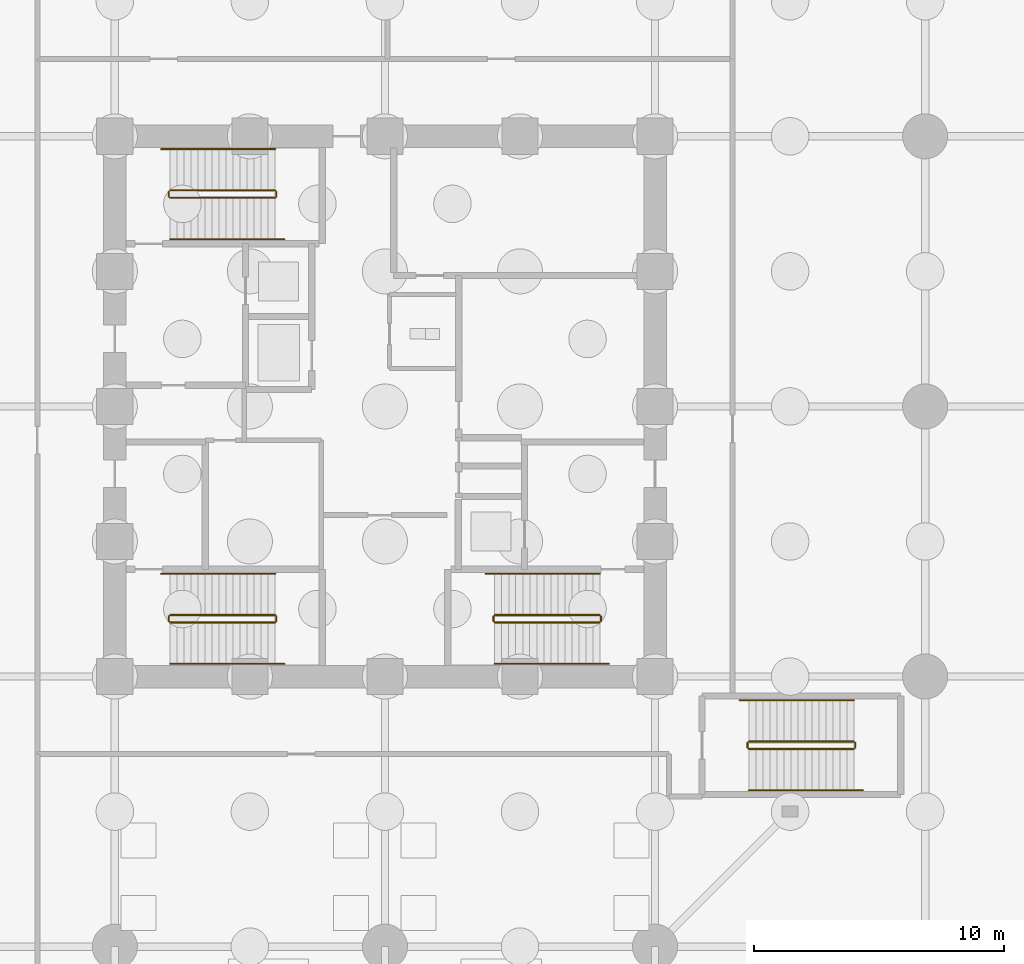
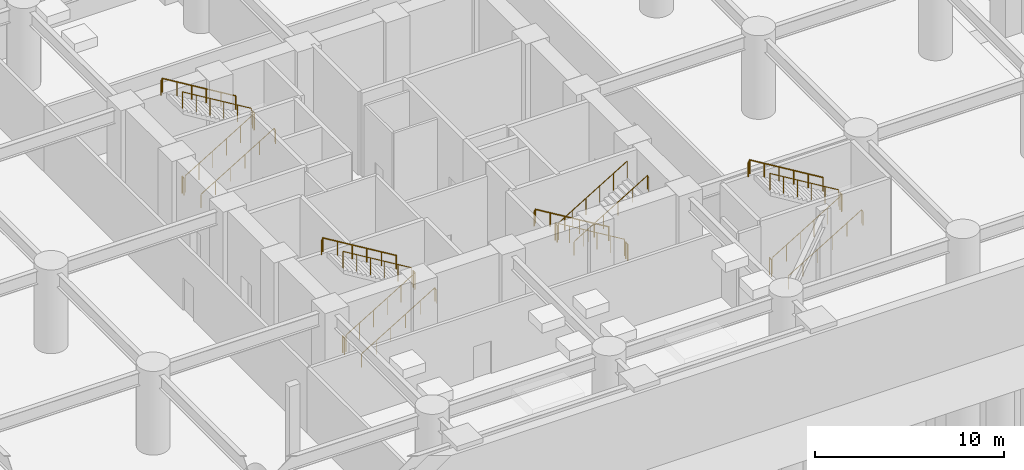
# One storey, part 7 of 9: 24 railings.
"""IFC4 building model written with IfcOpenShell, lengths in metres."""

from ifc_helpers import new_model, si_unit, direction, frame, origin, origin_2d, place, context, subcontext, project, spatial, circle, extrude, material, type_object, element, save


model = new_model("IFC4")

# Units and contexts
model_context = context("Model", 3, precision=1e-05, world=origin(), true_north=direction((0.0, 1.0)))
body_context = subcontext(model_context, "Body", "Model", "MODEL_VIEW")
ifc_project = project(units=[si_unit("LENGTHUNIT", "METRE"), si_unit("AREAUNIT", "SQUARE_METRE"), si_unit("VOLUMEUNIT", "CUBIC_METRE"), si_unit("PLANEANGLEUNIT", "RADIAN"), si_unit("MASSUNIT", "GRAM", prefix="KILO")], contexts=[model_context])

# Site, building, storey
site_placement = place(None, origin())
site = spatial("IfcSite", under=ifc_project, at=site_placement, CompositionType="ELEMENT")
building_placement = place(site_placement, origin())
building = spatial("IfcBuilding", under=site, at=building_placement, Name="Surkhivell Harbour Commons", CompositionType="ELEMENT")
storey_placement = place(building_placement, frame((0.0, 0.0, -5.39990234375)))
storey = spatial("IfcBuildingStorey", under=building, at=storey_placement, Name="B1", CompositionType="ELEMENT", Elevation=-5.39990234375)

# Railings
ifc_material_1 = material(Name="Galvanised and painted steel S355 guard rail", Category="steel")
railing_type_1 = type_object("IfcRailingType", Name="RAL-ST-GRD1100", PredefinedType="GUARDRAIL", material=ifc_material_1)
railing_1_placement = place(storey_placement, frame((-8.590087890625, 8.340087890625, 0.168701171875)))
element("IfcRailing", 1, at=railing_1_placement, inside=storey, type_object=railing_type_1, Name="B1 ST1 stair guard 1", PredefinedType="GUARDRAIL", context=body_context, shape_type="SweptSolid", body=[
    extrude(circle(Radius=0.02392578125, at=origin_2d()), frame((0.0, 0.0, 1.076171875), z_axis=(0.856489757249, 0.0, 0.516164020179), x_axis=(0.0, 1.0, 0.0)), (0.0, 0.0, 1.0), 4.904052734375),
    extrude(circle(Radius=0.02099609375, at=origin_2d()), origin(), (0.0, 0.0, 1.0), 1.052001953125),
    extrude(circle(Radius=0.02099609375, at=origin_2d()), frame((0.840087890625, 0.0, 0.50634765625)), (0.0, 0.0, 1.0), 1.052001953125),
    extrude(circle(Radius=0.02099609375, at=origin_2d()), frame((1.68017578125, 0.0, 1.012451171875)), (0.0, 0.0, 1.0), 1.052001953125),
    extrude(circle(Radius=0.02099609375, at=origin_2d()), frame((2.52001953125, 0.0, 1.518798828125)), (0.0, 0.0, 1.0), 1.052001953125),
    extrude(circle(Radius=0.02099609375, at=origin_2d()), frame((3.360107421875, 0.0, 2.02490234375)), (0.0, 0.0, 1.0), 1.052001953125),
    extrude(circle(Radius=0.02099609375, at=origin_2d()), frame((4.2001953125, 0.0, 2.53125)), (0.0, 0.0, 1.0), 1.052001953125),
])
railing_2_placement = place(storey_placement, frame((-4.340087890625, 8.389892578125, 2.699951171875)))
element("IfcRailing", 2, at=railing_2_placement, inside=storey, type_object=railing_type_1, Name="B1 ST1 stair guard 2", PredefinedType="GUARDRAIL", context=body_context, shape_type="SweptSolid", body=[
    extrude(circle(Radius=0.02392578125, at=origin_2d()), frame((0.0, 0.0, 1.076171875), z_axis=(0.0, 1.0, 0.0), x_axis=(-1.0, 0.0, 0.0)), (0.0, 0.0, 1.0), 0.2001953125),
    extrude(circle(Radius=0.02099609375, at=origin_2d()), origin(), (0.0, 0.0, 1.0), 1.052001953125),
    extrude(circle(Radius=0.02099609375, at=origin_2d()), frame((0.0, 0.2001953125, 0.0)), (0.0, 0.0, 1.0), 1.052001953125),
])
railing_3_placement = place(storey_placement, frame((-4.389892578125, 8.639892578125, 2.86865234375)))
element("IfcRailing", 3, at=railing_3_placement, inside=storey, type_object=railing_type_1, Name="B1 ST1 stair guard 3", PredefinedType="GUARDRAIL", context=body_context, shape_type="SweptSolid", body=[
    extrude(circle(Radius=0.02392578125, at=origin_2d()), frame((0.0, 0.0, 1.076171875), z_axis=(-0.856489757249, 0.0, 0.516164020179), x_axis=(0.0, -1.0, 0.0)), (0.0, 0.0, 1.0), 4.904052734375),
    extrude(circle(Radius=0.02099609375, at=origin_2d()), origin(), (0.0, 0.0, 1.0), 1.052001953125),
    extrude(circle(Radius=0.02099609375, at=origin_2d()), frame((-0.840087890625, 0.0, 0.50634765625)), (0.0, 0.0, 1.0), 1.052001953125),
    extrude(circle(Radius=0.02099609375, at=origin_2d()), frame((-1.68017578125, 0.0, 1.012451171875)), (0.0, 0.0, 1.0), 1.052001953125),
    extrude(circle(Radius=0.02099609375, at=origin_2d()), frame((-2.52001953125, 0.0, 1.518798828125)), (0.0, 0.0, 1.0), 1.052001953125),
    extrude(circle(Radius=0.02099609375, at=origin_2d()), frame((-3.360107421875, 0.0, 2.02490234375)), (0.0, 0.0, 1.0), 1.052001953125),
    extrude(circle(Radius=0.02099609375, at=origin_2d()), frame((-4.2001953125, 0.0, 2.53125)), (0.0, 0.0, 1.0), 1.052001953125),
])
railing_4_placement = place(storey_placement, frame((-8.639892578125, 8.389892578125, 0.0)))
element("IfcRailing", 4, at=railing_4_placement, inside=storey, type_object=railing_type_1, Name="B1 ST1 stair guard 4", PredefinedType="GUARDRAIL", context=body_context, shape_type="SweptSolid", body=[
    extrude(circle(Radius=0.02392578125, at=origin_2d()), frame((0.0, 0.0, 1.076171875), z_axis=(0.0, 1.0, 0.0), x_axis=(-1.0, 0.0, 0.0)), (0.0, 0.0, 1.0), 0.2001953125),
    extrude(circle(Radius=0.02099609375, at=origin_2d()), origin(), (0.0, 0.0, 1.0), 1.052001953125),
    extrude(circle(Radius=0.02099609375, at=origin_2d()), frame((0.0, 0.2001953125, 0.0)), (0.0, 0.0, 1.0), 1.052001953125),
])
railing_5_placement = place(storey_placement, frame((8.590087890625, -8.340087890625, 0.168701171875)))
element("IfcRailing", 5, at=railing_5_placement, inside=storey, type_object=railing_type_1, Name="B1 ST2 stair guard 1", PredefinedType="GUARDRAIL", context=body_context, shape_type="SweptSolid", body=[
    extrude(circle(Radius=0.02392578125, at=origin_2d()), frame((0.0, 0.0, 1.076171875), z_axis=(-0.856489757249, 0.0, 0.516164020179), x_axis=(0.0, -1.0, 0.0)), (0.0, 0.0, 1.0), 4.904052734375),
    extrude(circle(Radius=0.02099609375, at=origin_2d()), origin(), (0.0, 0.0, 1.0), 1.052001953125),
    extrude(circle(Radius=0.02099609375, at=origin_2d()), frame((-0.840087890625, 0.0, 0.50634765625)), (0.0, 0.0, 1.0), 1.052001953125),
    extrude(circle(Radius=0.02099609375, at=origin_2d()), frame((-1.68017578125, 0.0, 1.012451171875)), (0.0, 0.0, 1.0), 1.052001953125),
    extrude(circle(Radius=0.02099609375, at=origin_2d()), frame((-2.52001953125, 0.0, 1.518798828125)), (0.0, 0.0, 1.0), 1.052001953125),
    extrude(circle(Radius=0.02099609375, at=origin_2d()), frame((-3.360107421875, 0.0, 2.02490234375)), (0.0, 0.0, 1.0), 1.052001953125),
    extrude(circle(Radius=0.02099609375, at=origin_2d()), frame((-4.2001953125, 0.0, 2.53125)), (0.0, 0.0, 1.0), 1.052001953125),
])
railing_6_placement = place(storey_placement, frame((4.340087890625, -8.389892578125, 2.699951171875)))
element("IfcRailing", 6, at=railing_6_placement, inside=storey, type_object=railing_type_1, Name="B1 ST2 stair guard 2", PredefinedType="GUARDRAIL", context=body_context, shape_type="SweptSolid", body=[
    extrude(circle(Radius=0.02392578125, at=origin_2d()), frame((0.0, 0.0, 1.076171875), z_axis=(0.0, -1.0, 0.0), x_axis=(1.0, 0.0, 0.0)), (0.0, 0.0, 1.0), 0.2001953125),
    extrude(circle(Radius=0.02099609375, at=origin_2d()), origin(), (0.0, 0.0, 1.0), 1.052001953125),
    extrude(circle(Radius=0.02099609375, at=origin_2d()), frame((0.0, -0.2001953125, 0.0)), (0.0, 0.0, 1.0), 1.052001953125),
])
railing_7_placement = place(storey_placement, frame((4.389892578125, -8.639892578125, 2.86865234375)))
element("IfcRailing", 7, at=railing_7_placement, inside=storey, type_object=railing_type_1, Name="B1 ST2 stair guard 3", PredefinedType="GUARDRAIL", context=body_context, shape_type="SweptSolid", body=[
    extrude(circle(Radius=0.02392578125, at=origin_2d()), frame((0.0, 0.0, 1.076171875), z_axis=(0.856489757249, 0.0, 0.516164020179), x_axis=(0.0, 1.0, 0.0)), (0.0, 0.0, 1.0), 4.904052734375),
    extrude(circle(Radius=0.02099609375, at=origin_2d()), origin(), (0.0, 0.0, 1.0), 1.052001953125),
    extrude(circle(Radius=0.02099609375, at=origin_2d()), frame((0.840087890625, 0.0, 0.50634765625)), (0.0, 0.0, 1.0), 1.052001953125),
    extrude(circle(Radius=0.02099609375, at=origin_2d()), frame((1.68017578125, 0.0, 1.012451171875)), (0.0, 0.0, 1.0), 1.052001953125),
    extrude(circle(Radius=0.02099609375, at=origin_2d()), frame((2.52001953125, 0.0, 1.518798828125)), (0.0, 0.0, 1.0), 1.052001953125),
    extrude(circle(Radius=0.02099609375, at=origin_2d()), frame((3.360107421875, 0.0, 2.02490234375)), (0.0, 0.0, 1.0), 1.052001953125),
    extrude(circle(Radius=0.02099609375, at=origin_2d()), frame((4.2001953125, 0.0, 2.53125)), (0.0, 0.0, 1.0), 1.052001953125),
])
railing_8_placement = place(storey_placement, frame((8.639892578125, -8.389892578125, 0.0)))
element("IfcRailing", 8, at=railing_8_placement, inside=storey, type_object=railing_type_1, Name="B1 ST2 stair guard 4", PredefinedType="GUARDRAIL", context=body_context, shape_type="SweptSolid", body=[
    extrude(circle(Radius=0.02392578125, at=origin_2d()), frame((0.0, 0.0, 1.076171875), z_axis=(0.0, -1.0, 0.0), x_axis=(1.0, 0.0, 0.0)), (0.0, 0.0, 1.0), 0.2001953125),
    extrude(circle(Radius=0.02099609375, at=origin_2d()), origin(), (0.0, 0.0, 1.0), 1.052001953125),
    extrude(circle(Radius=0.02099609375, at=origin_2d()), frame((0.0, -0.2001953125, 0.0)), (0.0, 0.0, 1.0), 1.052001953125),
])
railing_9_placement = place(storey_placement, frame((-8.590087890625, -8.639892578125, 0.168701171875)))
element("IfcRailing", 9, at=railing_9_placement, inside=storey, type_object=railing_type_1, Name="B1 ST3 stair guard 1", PredefinedType="GUARDRAIL", context=body_context, shape_type="SweptSolid", body=[
    extrude(circle(Radius=0.02392578125, at=origin_2d()), frame((0.0, 0.0, 1.076171875), z_axis=(0.856489757249, 0.0, 0.516164020179), x_axis=(0.0, 1.0, 0.0)), (0.0, 0.0, 1.0), 4.904052734375),
    extrude(circle(Radius=0.02099609375, at=origin_2d()), origin(), (0.0, 0.0, 1.0), 1.052001953125),
    extrude(circle(Radius=0.02099609375, at=origin_2d()), frame((0.840087890625, 0.0, 0.50634765625)), (0.0, 0.0, 1.0), 1.052001953125),
    extrude(circle(Radius=0.02099609375, at=origin_2d()), frame((1.68017578125, 0.0, 1.012451171875)), (0.0, 0.0, 1.0), 1.052001953125),
    extrude(circle(Radius=0.02099609375, at=origin_2d()), frame((2.52001953125, 0.0, 1.518798828125)), (0.0, 0.0, 1.0), 1.052001953125),
    extrude(circle(Radius=0.02099609375, at=origin_2d()), frame((3.360107421875, 0.0, 2.02490234375)), (0.0, 0.0, 1.0), 1.052001953125),
    extrude(circle(Radius=0.02099609375, at=origin_2d()), frame((4.2001953125, 0.0, 2.53125)), (0.0, 0.0, 1.0), 1.052001953125),
])
railing_10_placement = place(storey_placement, frame((-4.340087890625, -8.590087890625, 2.699951171875)))
element("IfcRailing", 10, at=railing_10_placement, inside=storey, type_object=railing_type_1, Name="B1 ST3 stair guard 2", PredefinedType="GUARDRAIL", context=body_context, shape_type="SweptSolid", body=[
    extrude(circle(Radius=0.02392578125, at=origin_2d()), frame((0.0, 0.0, 1.076171875), z_axis=(0.0, 1.0, 0.0), x_axis=(-1.0, 0.0, 0.0)), (0.0, 0.0, 1.0), 0.2001953125),
    extrude(circle(Radius=0.02099609375, at=origin_2d()), origin(), (0.0, 0.0, 1.0), 1.052001953125),
    extrude(circle(Radius=0.02099609375, at=origin_2d()), frame((0.0, 0.2001953125, 0.0)), (0.0, 0.0, 1.0), 1.052001953125),
])
railing_11_placement = place(storey_placement, frame((-4.389892578125, -8.340087890625, 2.86865234375)))
element("IfcRailing", 11, at=railing_11_placement, inside=storey, type_object=railing_type_1, Name="B1 ST3 stair guard 3", PredefinedType="GUARDRAIL", context=body_context, shape_type="SweptSolid", body=[
    extrude(circle(Radius=0.02392578125, at=origin_2d()), frame((0.0, 0.0, 1.076171875), z_axis=(-0.856489757249, 0.0, 0.516164020179), x_axis=(0.0, -1.0, 0.0)), (0.0, 0.0, 1.0), 4.904052734375),
    extrude(circle(Radius=0.02099609375, at=origin_2d()), origin(), (0.0, 0.0, 1.0), 1.052001953125),
    extrude(circle(Radius=0.02099609375, at=origin_2d()), frame((-0.840087890625, 0.0, 0.50634765625)), (0.0, 0.0, 1.0), 1.052001953125),
    extrude(circle(Radius=0.02099609375, at=origin_2d()), frame((-1.68017578125, 0.0, 1.012451171875)), (0.0, 0.0, 1.0), 1.052001953125),
    extrude(circle(Radius=0.02099609375, at=origin_2d()), frame((-2.52001953125, 0.0, 1.518798828125)), (0.0, 0.0, 1.0), 1.052001953125),
    extrude(circle(Radius=0.02099609375, at=origin_2d()), frame((-3.360107421875, 0.0, 2.02490234375)), (0.0, 0.0, 1.0), 1.052001953125),
    extrude(circle(Radius=0.02099609375, at=origin_2d()), frame((-4.2001953125, 0.0, 2.53125)), (0.0, 0.0, 1.0), 1.052001953125),
])
railing_12_placement = place(storey_placement, frame((-8.639892578125, -8.590087890625, 0.0)))
element("IfcRailing", 12, at=railing_12_placement, inside=storey, type_object=railing_type_1, Name="B1 ST3 stair guard 4", PredefinedType="GUARDRAIL", context=body_context, shape_type="SweptSolid", body=[
    extrude(circle(Radius=0.02392578125, at=origin_2d()), frame((0.0, 0.0, 1.076171875), z_axis=(0.0, 1.0, 0.0), x_axis=(-1.0, 0.0, 0.0)), (0.0, 0.0, 1.0), 0.2001953125),
    extrude(circle(Radius=0.02099609375, at=origin_2d()), origin(), (0.0, 0.0, 1.0), 1.052001953125),
    extrude(circle(Radius=0.02099609375, at=origin_2d()), frame((0.0, 0.2001953125, 0.0)), (0.0, 0.0, 1.0), 1.052001953125),
])
railing_13_placement = place(storey_placement, frame((14.550048828125, -13.699951171875, 0.168701171875)))
element("IfcRailing", 13, at=railing_13_placement, inside=storey, type_object=railing_type_1, Name="B1 ST4 stair guard 1", PredefinedType="GUARDRAIL", context=body_context, shape_type="SweptSolid", body=[
    extrude(circle(Radius=0.02392578125, at=origin_2d()), frame((0.0, 0.0, 1.076171875), z_axis=(0.856476492594, 0.0, 0.516186030065), x_axis=(0.0, 1.0, 0.0)), (0.0, 0.0, 1.0), 4.90380859375),
    extrude(circle(Radius=0.02099609375, at=origin_2d()), origin(), (0.0, 0.0, 1.0), 1.052001953125),
    extrude(circle(Radius=0.02099609375, at=origin_2d()), frame((0.840087890625, 0.0, 0.50634765625)), (0.0, 0.0, 1.0), 1.052001953125),
    extrude(circle(Radius=0.02099609375, at=origin_2d()), frame((1.679931640625, 0.0, 1.012451171875)), (0.0, 0.0, 1.0), 1.052001953125),
    extrude(circle(Radius=0.02099609375, at=origin_2d()), frame((2.52001953125, 0.0, 1.518798828125)), (0.0, 0.0, 1.0), 1.052001953125),
    extrude(circle(Radius=0.02099609375, at=origin_2d()), frame((3.35986328125, 0.0, 2.02490234375)), (0.0, 0.0, 1.0), 1.052001953125),
    extrude(circle(Radius=0.02099609375, at=origin_2d()), frame((4.199951171875, 0.0, 2.53125)), (0.0, 0.0, 1.0), 1.052001953125),
])
railing_14_placement = place(storey_placement, frame((18.800048828125, -13.64990234375, 2.699951171875)))
element("IfcRailing", 14, at=railing_14_placement, inside=storey, type_object=railing_type_1, Name="B1 ST4 stair guard 2", PredefinedType="GUARDRAIL", context=body_context, shape_type="SweptSolid", body=[
    extrude(circle(Radius=0.02392578125, at=origin_2d()), frame((0.0, 0.0, 1.076171875), z_axis=(0.0, 1.0, 0.0), x_axis=(-1.0, 0.0, 0.0)), (0.0, 0.0, 1.0), 0.199951171875),
    extrude(circle(Radius=0.02099609375, at=origin_2d()), origin(), (0.0, 0.0, 1.0), 1.052001953125),
    extrude(circle(Radius=0.02099609375, at=origin_2d()), frame((0.0, 0.199951171875, 0.0)), (0.0, 0.0, 1.0), 1.052001953125),
])
railing_15_placement = place(storey_placement, frame((18.75, -13.39990234375, 2.86865234375)))
element("IfcRailing", 15, at=railing_15_placement, inside=storey, type_object=railing_type_1, Name="B1 ST4 stair guard 3", PredefinedType="GUARDRAIL", context=body_context, shape_type="SweptSolid", body=[
    extrude(circle(Radius=0.02392578125, at=origin_2d()), frame((0.0, 0.0, 1.076171875), z_axis=(-0.856476492594, 0.0, 0.516186030065), x_axis=(0.0, -1.0, 0.0)), (0.0, 0.0, 1.0), 4.90380859375),
    extrude(circle(Radius=0.02099609375, at=origin_2d()), origin(), (0.0, 0.0, 1.0), 1.052001953125),
    extrude(circle(Radius=0.02099609375, at=origin_2d()), frame((-0.840087890625, 0.0, 0.50634765625)), (0.0, 0.0, 1.0), 1.052001953125),
    extrude(circle(Radius=0.02099609375, at=origin_2d()), frame((-1.679931640625, 0.0, 1.012451171875)), (0.0, 0.0, 1.0), 1.052001953125),
    extrude(circle(Radius=0.02099609375, at=origin_2d()), frame((-2.52001953125, 0.0, 1.518798828125)), (0.0, 0.0, 1.0), 1.052001953125),
    extrude(circle(Radius=0.02099609375, at=origin_2d()), frame((-3.35986328125, 0.0, 2.02490234375)), (0.0, 0.0, 1.0), 1.052001953125),
    extrude(circle(Radius=0.02099609375, at=origin_2d()), frame((-4.199951171875, 0.0, 2.53125)), (0.0, 0.0, 1.0), 1.052001953125),
])
railing_16_placement = place(storey_placement, frame((14.5, -13.64990234375, 0.0)))
element("IfcRailing", 16, at=railing_16_placement, inside=storey, type_object=railing_type_1, Name="B1 ST4 stair guard 4", PredefinedType="GUARDRAIL", context=body_context, shape_type="SweptSolid", body=[
    extrude(circle(Radius=0.02392578125, at=origin_2d()), frame((0.0, 0.0, 1.076171875), z_axis=(0.0, 1.0, 0.0), x_axis=(-1.0, 0.0, 0.0)), (0.0, 0.0, 1.0), 0.199951171875),
    extrude(circle(Radius=0.02099609375, at=origin_2d()), origin(), (0.0, 0.0, 1.0), 1.052001953125),
    extrude(circle(Radius=0.02099609375, at=origin_2d()), frame((0.0, 0.199951171875, 0.0)), (0.0, 0.0, 1.0), 1.052001953125),
])
ifc_material_2 = material(Name="Brushed stainless steel S355 handrail", Category="steel")
railing_type_2 = type_object("IfcRailingType", Name="RAL-ST-HND900", PredefinedType="HANDRAIL", material=ifc_material_2)
railing_17_placement = place(storey_placement, frame((-8.590087890625, 6.68994140625, 0.168701171875)))
element("IfcRailing", 17, at=railing_17_placement, inside=storey, type_object=railing_type_2, Name="B1 ST1 stair handrail 1", PredefinedType="HANDRAIL", context=body_context, shape_type="SweptSolid", body=[
    extrude(circle(Radius=0.02392578125, at=origin_2d()), frame((0.0, 0.0, 0.8759765625), z_axis=(0.856482277723, 0.0, 0.516176431026), x_axis=(0.0, 1.0, 0.0)), (0.0, 0.0, 1.0), 5.230712890625),
    extrude(circle(Radius=0.02392578125, at=origin_2d()), frame((4.47998046875, 0.0, 3.57568359375), z_axis=(0.428816793009, 0.0, -0.903391475515), x_axis=(0.0, 1.0, 0.0)), (0.0, 0.0, 1.0), 0.186767578125),
    extrude(circle(Radius=0.02099609375, at=origin_2d()), origin(), (0.0, 0.0, 1.0), 0.851806640625),
    extrude(circle(Radius=0.02099609375, at=origin_2d()), frame((0.89599609375, 0.0, 0.5400390625)), (0.0, 0.0, 1.0), 0.851806640625),
    extrude(circle(Radius=0.02099609375, at=origin_2d()), frame((1.7919921875, 0.0, 1.080078125)), (0.0, 0.0, 1.0), 0.851806640625),
    extrude(circle(Radius=0.02099609375, at=origin_2d()), frame((2.68798828125, 0.0, 1.619873046875)), (0.0, 0.0, 1.0), 0.851806640625),
    extrude(circle(Radius=0.02099609375, at=origin_2d()), frame((3.583984375, 0.0, 2.159912109375)), (0.0, 0.0, 1.0), 0.851806640625),
    extrude(circle(Radius=0.02099609375, at=origin_2d()), frame((4.47998046875, 0.0, 2.699951171875)), (0.0, 0.0, 1.0), 0.851806640625),
    extrude(circle(Radius=0.02099609375, at=origin_2d()), frame((4.56005859375, 0.0, 2.53125)), (0.0, 0.0, 1.0), 0.851806640625),
])
railing_18_placement = place(storey_placement, frame((-4.389892578125, 10.2900390625, 2.86865234375)))
element("IfcRailing", 18, at=railing_18_placement, inside=storey, type_object=railing_type_2, Name="B1 ST1 stair handrail 2", PredefinedType="HANDRAIL", context=body_context, shape_type="SweptSolid", body=[
    extrude(circle(Radius=0.02392578125, at=origin_2d()), frame((0.0, 0.0, 0.8759765625), z_axis=(-0.856494712918, 0.0, 0.516155796968), x_axis=(0.0, -1.0, 0.0)), (0.0, 0.0, 1.0), 5.23095703125),
    extrude(circle(Radius=0.02392578125, at=origin_2d()), frame((-4.480224609375, 0.0, 3.57568359375), z_axis=(-0.427748931468, 0.0, -0.903897589126), x_axis=(0.0, -1.0, 0.0)), (0.0, 0.0, 1.0), 0.1865234375),
    extrude(circle(Radius=0.02099609375, at=origin_2d()), origin(), (0.0, 0.0, 1.0), 0.851806640625),
    extrude(circle(Radius=0.02099609375, at=origin_2d()), frame((-0.89599609375, 0.0, 0.5400390625)), (0.0, 0.0, 1.0), 0.851806640625),
    extrude(circle(Radius=0.02099609375, at=origin_2d()), frame((-1.7919921875, 0.0, 1.080078125)), (0.0, 0.0, 1.0), 0.851806640625),
    extrude(circle(Radius=0.02099609375, at=origin_2d()), frame((-2.688232421875, 0.0, 1.619873046875)), (0.0, 0.0, 1.0), 0.851806640625),
    extrude(circle(Radius=0.02099609375, at=origin_2d()), frame((-3.584228515625, 0.0, 2.159912109375)), (0.0, 0.0, 1.0), 0.851806640625),
    extrude(circle(Radius=0.02099609375, at=origin_2d()), frame((-4.480224609375, 0.0, 2.699951171875)), (0.0, 0.0, 1.0), 0.851806640625),
    extrude(circle(Radius=0.02099609375, at=origin_2d()), frame((-4.56005859375, 0.0, 2.53125)), (0.0, 0.0, 1.0), 0.851806640625),
])
railing_19_placement = place(storey_placement, frame((8.590087890625, -6.68994140625, 0.168701171875)))
element("IfcRailing", 19, at=railing_19_placement, inside=storey, type_object=railing_type_2, Name="B1 ST2 stair handrail 1", PredefinedType="HANDRAIL", context=body_context, shape_type="SweptSolid", body=[
    extrude(circle(Radius=0.02392578125, at=origin_2d()), frame((0.0, 0.0, 0.8759765625), z_axis=(-0.856482277723, 0.0, 0.516176431026), x_axis=(0.0, -1.0, 0.0)), (0.0, 0.0, 1.0), 5.230712890625),
    extrude(circle(Radius=0.02392578125, at=origin_2d()), frame((-4.47998046875, 0.0, 3.57568359375), z_axis=(-0.428816793009, 0.0, -0.903391475515), x_axis=(0.0, -1.0, 0.0)), (0.0, 0.0, 1.0), 0.186767578125),
    extrude(circle(Radius=0.02099609375, at=origin_2d()), origin(), (0.0, 0.0, 1.0), 0.851806640625),
    extrude(circle(Radius=0.02099609375, at=origin_2d()), frame((-0.89599609375, 0.0, 0.5400390625)), (0.0, 0.0, 1.0), 0.851806640625),
    extrude(circle(Radius=0.02099609375, at=origin_2d()), frame((-1.7919921875, 0.0, 1.080078125)), (0.0, 0.0, 1.0), 0.851806640625),
    extrude(circle(Radius=0.02099609375, at=origin_2d()), frame((-2.68798828125, 0.0, 1.619873046875)), (0.0, 0.0, 1.0), 0.851806640625),
    extrude(circle(Radius=0.02099609375, at=origin_2d()), frame((-3.583984375, 0.0, 2.159912109375)), (0.0, 0.0, 1.0), 0.851806640625),
    extrude(circle(Radius=0.02099609375, at=origin_2d()), frame((-4.47998046875, 0.0, 2.699951171875)), (0.0, 0.0, 1.0), 0.851806640625),
    extrude(circle(Radius=0.02099609375, at=origin_2d()), frame((-4.56005859375, 0.0, 2.53125)), (0.0, 0.0, 1.0), 0.851806640625),
])
railing_20_placement = place(storey_placement, frame((4.389892578125, -10.2900390625, 2.86865234375)))
element("IfcRailing", 20, at=railing_20_placement, inside=storey, type_object=railing_type_2, Name="B1 ST2 stair handrail 2", PredefinedType="HANDRAIL", context=body_context, shape_type="SweptSolid", body=[
    extrude(circle(Radius=0.02392578125, at=origin_2d()), frame((0.0, 0.0, 0.8759765625), z_axis=(0.856494712918, 0.0, 0.516155796968), x_axis=(0.0, 1.0, 0.0)), (0.0, 0.0, 1.0), 5.23095703125),
    extrude(circle(Radius=0.02392578125, at=origin_2d()), frame((4.480224609375, 0.0, 3.57568359375), z_axis=(0.427748931468, 0.0, -0.903897589126), x_axis=(0.0, 1.0, 0.0)), (0.0, 0.0, 1.0), 0.1865234375),
    extrude(circle(Radius=0.02099609375, at=origin_2d()), origin(), (0.0, 0.0, 1.0), 0.851806640625),
    extrude(circle(Radius=0.02099609375, at=origin_2d()), frame((0.89599609375, 0.0, 0.5400390625)), (0.0, 0.0, 1.0), 0.851806640625),
    extrude(circle(Radius=0.02099609375, at=origin_2d()), frame((1.7919921875, 0.0, 1.080078125)), (0.0, 0.0, 1.0), 0.851806640625),
    extrude(circle(Radius=0.02099609375, at=origin_2d()), frame((2.688232421875, 0.0, 1.619873046875)), (0.0, 0.0, 1.0), 0.851806640625),
    extrude(circle(Radius=0.02099609375, at=origin_2d()), frame((3.584228515625, 0.0, 2.159912109375)), (0.0, 0.0, 1.0), 0.851806640625),
    extrude(circle(Radius=0.02099609375, at=origin_2d()), frame((4.480224609375, 0.0, 2.699951171875)), (0.0, 0.0, 1.0), 0.851806640625),
    extrude(circle(Radius=0.02099609375, at=origin_2d()), frame((4.56005859375, 0.0, 2.53125)), (0.0, 0.0, 1.0), 0.851806640625),
])
railing_21_placement = place(storey_placement, frame((-8.590087890625, -10.2900390625, 0.168701171875)))
element("IfcRailing", 21, at=railing_21_placement, inside=storey, type_object=railing_type_2, Name="B1 ST3 stair handrail 1", PredefinedType="HANDRAIL", context=body_context, shape_type="SweptSolid", body=[
    extrude(circle(Radius=0.02392578125, at=origin_2d()), frame((0.0, 0.0, 0.8759765625), z_axis=(0.856482277723, 0.0, 0.516176431026), x_axis=(0.0, 1.0, 0.0)), (0.0, 0.0, 1.0), 5.230712890625),
    extrude(circle(Radius=0.02392578125, at=origin_2d()), frame((4.47998046875, 0.0, 3.57568359375), z_axis=(0.428816793009, 0.0, -0.903391475515), x_axis=(0.0, 1.0, 0.0)), (0.0, 0.0, 1.0), 0.186767578125),
    extrude(circle(Radius=0.02099609375, at=origin_2d()), origin(), (0.0, 0.0, 1.0), 0.851806640625),
    extrude(circle(Radius=0.02099609375, at=origin_2d()), frame((0.89599609375, 0.0, 0.5400390625)), (0.0, 0.0, 1.0), 0.851806640625),
    extrude(circle(Radius=0.02099609375, at=origin_2d()), frame((1.7919921875, 0.0, 1.080078125)), (0.0, 0.0, 1.0), 0.851806640625),
    extrude(circle(Radius=0.02099609375, at=origin_2d()), frame((2.68798828125, 0.0, 1.619873046875)), (0.0, 0.0, 1.0), 0.851806640625),
    extrude(circle(Radius=0.02099609375, at=origin_2d()), frame((3.583984375, 0.0, 2.159912109375)), (0.0, 0.0, 1.0), 0.851806640625),
    extrude(circle(Radius=0.02099609375, at=origin_2d()), frame((4.47998046875, 0.0, 2.699951171875)), (0.0, 0.0, 1.0), 0.851806640625),
    extrude(circle(Radius=0.02099609375, at=origin_2d()), frame((4.56005859375, 0.0, 2.53125)), (0.0, 0.0, 1.0), 0.851806640625),
])
railing_22_placement = place(storey_placement, frame((-4.389892578125, -6.68994140625, 2.86865234375)))
element("IfcRailing", 22, at=railing_22_placement, inside=storey, type_object=railing_type_2, Name="B1 ST3 stair handrail 2", PredefinedType="HANDRAIL", context=body_context, shape_type="SweptSolid", body=[
    extrude(circle(Radius=0.02392578125, at=origin_2d()), frame((0.0, 0.0, 0.8759765625), z_axis=(-0.856494712918, 0.0, 0.516155796968), x_axis=(0.0, -1.0, 0.0)), (0.0, 0.0, 1.0), 5.23095703125),
    extrude(circle(Radius=0.02392578125, at=origin_2d()), frame((-4.480224609375, 0.0, 3.57568359375), z_axis=(-0.427748931468, 0.0, -0.903897589126), x_axis=(0.0, -1.0, 0.0)), (0.0, 0.0, 1.0), 0.1865234375),
    extrude(circle(Radius=0.02099609375, at=origin_2d()), origin(), (0.0, 0.0, 1.0), 0.851806640625),
    extrude(circle(Radius=0.02099609375, at=origin_2d()), frame((-0.89599609375, 0.0, 0.5400390625)), (0.0, 0.0, 1.0), 0.851806640625),
    extrude(circle(Radius=0.02099609375, at=origin_2d()), frame((-1.7919921875, 0.0, 1.080078125)), (0.0, 0.0, 1.0), 0.851806640625),
    extrude(circle(Radius=0.02099609375, at=origin_2d()), frame((-2.688232421875, 0.0, 1.619873046875)), (0.0, 0.0, 1.0), 0.851806640625),
    extrude(circle(Radius=0.02099609375, at=origin_2d()), frame((-3.584228515625, 0.0, 2.159912109375)), (0.0, 0.0, 1.0), 0.851806640625),
    extrude(circle(Radius=0.02099609375, at=origin_2d()), frame((-4.480224609375, 0.0, 2.699951171875)), (0.0, 0.0, 1.0), 0.851806640625),
    extrude(circle(Radius=0.02099609375, at=origin_2d()), frame((-4.56005859375, 0.0, 2.53125)), (0.0, 0.0, 1.0), 0.851806640625),
])
railing_23_placement = place(storey_placement, frame((14.550048828125, -15.35009765625, 0.168701171875)))
element("IfcRailing", 23, at=railing_23_placement, inside=storey, type_object=railing_type_2, Name="B1 ST4 stair handrail 1", PredefinedType="HANDRAIL", context=body_context, shape_type="SweptSolid", body=[
    extrude(circle(Radius=0.02392578125, at=origin_2d()), frame((0.0, 0.0, 0.8759765625), z_axis=(0.856482277723, 0.0, 0.516176431026), x_axis=(0.0, 1.0, 0.0)), (0.0, 0.0, 1.0), 5.230712890625),
    extrude(circle(Radius=0.02392578125, at=origin_2d()), frame((4.47998046875, 0.0, 3.57568359375), z_axis=(0.428816793009, 0.0, -0.903391475515), x_axis=(0.0, 1.0, 0.0)), (0.0, 0.0, 1.0), 0.186767578125),
    extrude(circle(Radius=0.02099609375, at=origin_2d()), origin(), (0.0, 0.0, 1.0), 0.851806640625),
    extrude(circle(Radius=0.02099609375, at=origin_2d()), frame((0.89599609375, 0.0, 0.5400390625)), (0.0, 0.0, 1.0), 0.851806640625),
    extrude(circle(Radius=0.02099609375, at=origin_2d()), frame((1.7919921875, 0.0, 1.080078125)), (0.0, 0.0, 1.0), 0.851806640625),
    extrude(circle(Radius=0.02099609375, at=origin_2d()), frame((2.68798828125, 0.0, 1.619873046875)), (0.0, 0.0, 1.0), 0.851806640625),
    extrude(circle(Radius=0.02099609375, at=origin_2d()), frame((3.583984375, 0.0, 2.159912109375)), (0.0, 0.0, 1.0), 0.851806640625),
    extrude(circle(Radius=0.02099609375, at=origin_2d()), frame((4.47998046875, 0.0, 2.699951171875)), (0.0, 0.0, 1.0), 0.851806640625),
    extrude(circle(Radius=0.02099609375, at=origin_2d()), frame((4.56005859375, 0.0, 2.53125)), (0.0, 0.0, 1.0), 0.851806640625),
])
railing_24_placement = place(storey_placement, frame((18.75, -11.75, 2.86865234375)))
element("IfcRailing", 24, at=railing_24_placement, inside=storey, type_object=railing_type_2, Name="B1 ST4 stair handrail 2", PredefinedType="HANDRAIL", context=body_context, shape_type="SweptSolid", body=[
    extrude(circle(Radius=0.02392578125, at=origin_2d()), frame((0.0, 0.0, 0.8759765625), z_axis=(-0.856482277723, 0.0, 0.516176431026), x_axis=(0.0, -1.0, 0.0)), (0.0, 0.0, 1.0), 5.230712890625),
    extrude(circle(Radius=0.02392578125, at=origin_2d()), frame((-4.47998046875, 0.0, 3.57568359375), z_axis=(-0.428816793009, 0.0, -0.903391475515), x_axis=(0.0, -1.0, 0.0)), (0.0, 0.0, 1.0), 0.186767578125),
    extrude(circle(Radius=0.02099609375, at=origin_2d()), origin(), (0.0, 0.0, 1.0), 0.851806640625),
    extrude(circle(Radius=0.02099609375, at=origin_2d()), frame((-0.89599609375, 0.0, 0.5400390625)), (0.0, 0.0, 1.0), 0.851806640625),
    extrude(circle(Radius=0.02099609375, at=origin_2d()), frame((-1.7919921875, 0.0, 1.080078125)), (0.0, 0.0, 1.0), 0.851806640625),
    extrude(circle(Radius=0.02099609375, at=origin_2d()), frame((-2.68798828125, 0.0, 1.619873046875)), (0.0, 0.0, 1.0), 0.851806640625),
    extrude(circle(Radius=0.02099609375, at=origin_2d()), frame((-3.583984375, 0.0, 2.159912109375)), (0.0, 0.0, 1.0), 0.851806640625),
    extrude(circle(Radius=0.02099609375, at=origin_2d()), frame((-4.47998046875, 0.0, 2.699951171875)), (0.0, 0.0, 1.0), 0.851806640625),
    extrude(circle(Radius=0.02099609375, at=origin_2d()), frame((-4.56005859375, 0.0, 2.53125)), (0.0, 0.0, 1.0), 0.851806640625),
])

save(model, "model.ifc")
